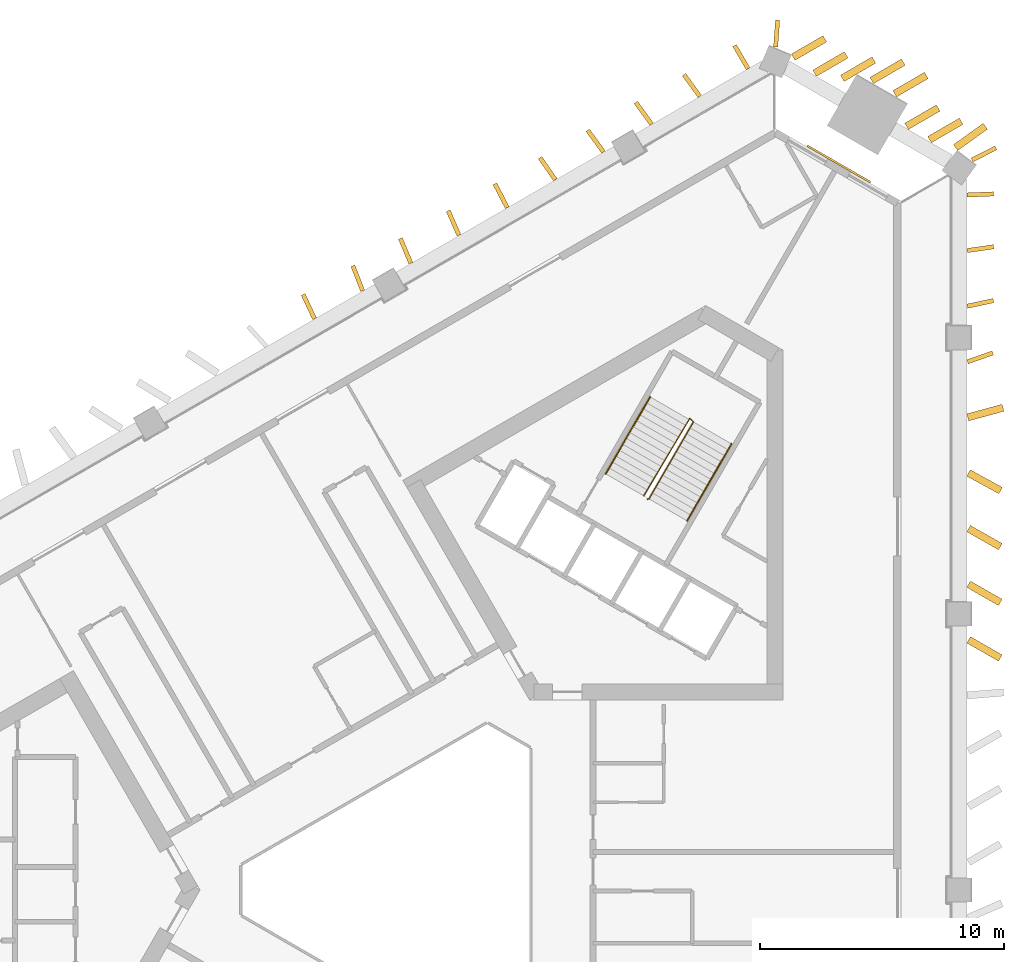
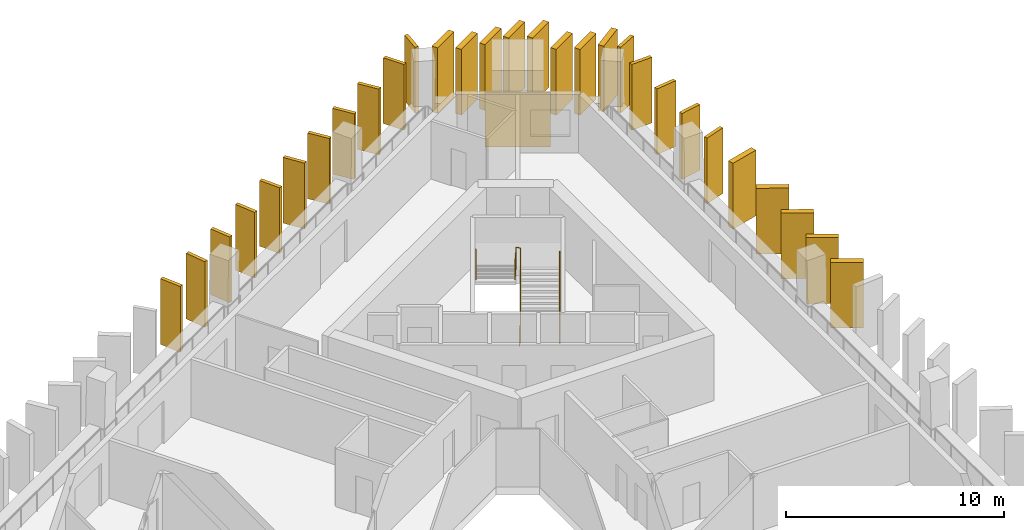
# One storey, part 10 of 10: 29 shading devices, 3 railings, 1 covering.
"""IFC4 building model written with IfcOpenShell, lengths in metres."""

from ifc_helpers import new_model, si_unit, direction, frame, frame_2d, origin, origin_2d, place, context, subcontext, project, spatial, rectangle, circle, extrude, material, layer, layer_set, type_object, element, save


model = new_model("IFC4")

# Units and contexts
model_context = context("Model", 3, precision=1e-05, world=origin(), true_north=direction((0.0, 1.0)))
body_context = subcontext(model_context, "Body", "Model", "MODEL_VIEW")
ifc_project = project(units=[si_unit("LENGTHUNIT", "METRE"), si_unit("AREAUNIT", "SQUARE_METRE"), si_unit("VOLUMEUNIT", "CUBIC_METRE"), si_unit("PLANEANGLEUNIT", "RADIAN"), si_unit("MASSUNIT", "GRAM", prefix="KILO")], contexts=[model_context])

# Site, building, storey
site_placement = place(None, origin())
site = spatial("IfcSite", under=ifc_project, at=site_placement, CompositionType="ELEMENT")
building_placement = place(site_placement, origin())
building = spatial("IfcBuilding", under=site, at=building_placement, Name="Jabali Bay Hotel Tower and Convention Centre", CompositionType="ELEMENT")
storey_placement = place(building_placement, frame((0.0, 0.0, 125.300048828125)))
storey = spatial("IfcBuildingStorey", under=building, at=storey_placement, Name="L30", CompositionType="ELEMENT", Elevation=125.300048828125)

# Shading devices
ifc_material_1 = material(Name="Precast concrete C60", Category="concrete")
ifc_layer_1 = layer(ifc_material_1, 0.179931640625)
ifc_layer_set_1 = layer_set([ifc_layer_1], Name="Precast concrete C60")
shading_device_type_1 = type_object("IfcShadingDeviceType", Name="Precast fin 3680 x 1100", PredefinedType="USERDEFINED", material=ifc_layer_set_1)
for number, where, z_axis, x_axis, name in (
    (1, (97.4482421875, 101.64453125, 0.010009765625), (0.0, 0.0, 1.0), (0.94380297499, 0.330508614713, 0.0), "Fin L30 022"),
    (2, (97.437255859375, 103.923095703125, 0.010009765625), (0.0, 0.0, 1.0), (0.977708120085, 0.209968645085, 0.0), "Fin L30 023"),
    (3, (97.431396484375, 106.201416015625, 0.010009765625), (0.0, 0.0, 1.0), (0.989699374152, 0.143161268519, 0.0), "Fin L30 024"),
):
    element("IfcShadingDevice", number, at=place(storey_placement, frame(where, z_axis=z_axis, x_axis=x_axis)), inside=storey, type_object=shading_device_type_1, Name=name, ObjectType="FIN", PredefinedType="USERDEFINED", context=body_context, shape_type="SweptSolid", body=[
        extrude(rectangle(XDim=1.099853515625, YDim=0.179931640625, at=frame_2d((0.5498046875, 0.0))), origin(), (0.0, 0.0, 1.0), 3.679931640625),
    ])
shading_device_1_placement = place(storey_placement, frame((97.422119140625, 108.479736328125, 0.010009765625), z_axis=(0.0, 0.0, 1.0), x_axis=(0.999174868023, 0.040615060162, 0.0)))
element("IfcShadingDevice", 4, at=shading_device_1_placement, inside=storey, type_object=shading_device_type_1, Name="Fin L30 025", ObjectType="FIN", PredefinedType="USERDEFINED", context=body_context, shape_type="SweptSolid", body=[
    extrude(rectangle(XDim=1.10009765625, YDim=0.179931640625, at=frame_2d((0.550048828125, 0.0))), origin(), (0.0, 0.0, 1.0), 3.679931640625),
])
shading_device_2_placement = place(storey_placement, frame((88.454833984375, 113.655029296875, 0.010009765625), z_axis=(0.0, 0.0, 1.0), x_axis=(-0.501840987237, 0.864959897064, 0.0)))
element("IfcShadingDevice", 5, at=shading_device_2_placement, inside=storey, type_object=shading_device_type_1, Name="Fin L30 034", ObjectType="FIN", PredefinedType="USERDEFINED", context=body_context, shape_type="SweptSolid", body=[
    extrude(rectangle(XDim=1.099853515625, YDim=0.179931640625, at=frame_2d((0.5498046875, 0.0))), origin(), (0.0, 0.0, 1.0), 3.679931640625),
])
for number, where, z_axis, x_axis, name in (
    (6, (86.47705078125, 112.523681640625, 0.010009765625), (0.0, 0.0, 1.0), (-0.587894549619, 0.808937573938, 0.0), "Fin L30 035"),
    (7, (84.50390625, 111.384521484375, 0.010009765625), (0.0, 0.0, 1.0), (-0.587894549619, 0.808937573938, 0.0), "Fin L30 036"),
    (8, (82.53076171875, 110.245361328125, 0.010009765625), (0.0, 0.0, 1.0), (-0.588145304304, 0.808755278824, 0.0), "Fin L30 037"),
    (9, (80.558837890625, 109.104248046875, 0.010009765625), (0.0, 0.0, 1.0), (-0.568298044294, 0.822822783382, 0.0), "Fin L30 038"),
):
    element("IfcShadingDevice", number, at=place(storey_placement, frame(where, z_axis=z_axis, x_axis=x_axis)), inside=storey, type_object=shading_device_type_1, Name=name, ObjectType="FIN", PredefinedType="USERDEFINED", context=body_context, shape_type="SweptSolid", body=[
        extrude(rectangle(XDim=1.10009765625, YDim=0.179931640625, at=frame_2d((0.550048828125, 0.0))), origin(), (0.0, 0.0, 1.0), 3.679931640625),
    ])
for number, where, z_axis, x_axis, name in (
    (10, (78.587158203125, 107.962646484375, 0.010009765625), (0.0, 0.0, 1.0), (-0.458190486506, 0.888854025178, 0.0), "Fin L30 039"),
    (11, (76.611083984375, 106.828369140625, 0.010009765625), (0.0, 0.0, 1.0), (-0.401086627647, 0.916040128555, 0.0), "Fin L30 040"),
):
    element("IfcShadingDevice", number, at=place(storey_placement, frame(where, z_axis=z_axis, x_axis=x_axis)), inside=storey, type_object=shading_device_type_1, Name=name, ObjectType="FIN", PredefinedType="USERDEFINED", context=body_context, shape_type="SweptSolid", body=[
        extrude(rectangle(XDim=1.099853515625, YDim=0.179931640625, at=frame_2d((0.5498046875, 0.0))), origin(), (0.0, 0.0, 1.0), 3.679931640625),
    ])
for number, where, z_axis, x_axis, name in (
    (12, (74.6376953125, 105.68994140625, 0.010009765625), (0.0, 0.0, 1.0), (-0.391507185119, 0.920175050738, 0.0), "Fin L30 041"),
    (13, (72.6630859375, 104.55322265625, 0.010009765625), (0.0, 0.0, 1.0), (-0.36264974698, 0.931925512589, 0.0), "Fin L30 042"),
):
    element("IfcShadingDevice", number, at=place(storey_placement, frame(where, z_axis=z_axis, x_axis=x_axis)), inside=storey, type_object=shading_device_type_1, Name=name, ObjectType="FIN", PredefinedType="USERDEFINED", context=body_context, shape_type="SweptSolid", body=[
        extrude(rectangle(XDim=1.10009765625, YDim=0.179931640625, at=frame_2d((0.550048828125, 0.0))), origin(), (0.0, 0.0, 1.0), 3.679931640625),
    ])
for number, where, z_axis, x_axis, name in (
    (14, (70.69287109375, 103.40869140625, 0.010009765625), (0.0, 0.0, 1.0), (-0.425326593292, 0.905039937814, 0.0), "Fin L30 043"),
    (15, (97.63427734375, 109.912353515625, 0.010009765625), (0.0, 0.0, 1.0), (0.89048664568, 0.455009377778, 0.0), "Fin L30 103"),
):
    element("IfcShadingDevice", number, at=place(storey_placement, frame(where, z_axis=z_axis, x_axis=x_axis)), inside=storey, type_object=shading_device_type_1, Name=name, ObjectType="FIN", PredefinedType="USERDEFINED", context=body_context, shape_type="SweptSolid", body=[
        extrude(rectangle(XDim=1.099853515625, YDim=0.179931640625, at=frame_2d((0.5498046875, 0.0))), origin(), (0.0, 0.0, 1.0), 3.679931640625),
    ])
shading_device_3_placement = place(storey_placement, frame((89.587646484375, 114.546875, 0.010009765625), z_axis=(0.0, 0.0, 1.0), x_axis=(0.073013326115, 0.997330965232, 0.0)))
element("IfcShadingDevice", 16, at=shading_device_3_placement, inside=storey, type_object=shading_device_type_1, Name="Fin L30 104", ObjectType="FIN", PredefinedType="USERDEFINED", context=body_context, shape_type="SweptSolid", body=[
    extrude(rectangle(XDim=1.10009765625, YDim=0.179931640625, at=frame_2d((0.550048828125, 0.0))), origin(), (0.0, 0.0, 1.0), 3.679931640625),
])
ifc_layer_2 = layer(ifc_material_1, 0.300048828125)
ifc_layer_set_2 = layer_set([ifc_layer_2], Name="Precast concrete C60")
shading_device_type_2 = type_object("IfcShadingDeviceType", Name="Precast fin 3680 x 1500", PredefinedType="USERDEFINED", material=ifc_layer_set_2)
shading_device_4_placement = place(storey_placement, frame((97.4931640625, 90.252685546875, 0.010009765625), z_axis=(0.0, 0.0, 1.0), x_axis=(0.867299949888, -0.497785894662, 0.0)))
element("IfcShadingDevice", 17, at=shading_device_4_placement, inside=storey, type_object=shading_device_type_2, Name="Fin L30 017", ObjectType="FIN", PredefinedType="USERDEFINED", context=body_context, shape_type="SweptSolid", body=[
    extrude(rectangle(XDim=1.499755859375, YDim=0.300048828125, at=frame_2d((0.75, 0.0))), origin(), (0.0, 0.0, 1.0), 3.679931640625),
])
for number, where, z_axis, x_axis, name in (
    (18, (97.492919921875, 92.531005859375, 0.010009765625), (0.0, 0.0, 1.0), (0.867812139006, -0.496892434431, 0.0), "Fin L30 018"),
    (19, (97.492431640625, 94.8095703125, 0.010009765625), (0.0, 0.0, 1.0), (0.869651921425, -0.493665408512, 0.0), "Fin L30 019"),
    (20, (97.490478515625, 97.087890625, 0.010009765625), (0.0, 0.0, 1.0), (0.876998290183, -0.48049349529, 0.0), "Fin L30 020"),
    (21, (97.4580078125, 99.3662109375, 0.010009765625), (0.0, 0.0, 1.0), (0.96444010368, 0.264301506645, 0.0), "Fin L30 021"),
    (22, (96.96142578125, 110.422119140625, 0.010009765625), (0.0, 0.0, 1.0), (0.812477917379, 0.582991967158, 0.0), "Fin L30 026"),
    (23, (95.893310546875, 110.748046875, 0.010009765625), (0.0, 0.0, 1.0), (0.864898360543, 0.501947034986, 0.0), "Fin L30 027"),
    (24, (94.950927734375, 111.2919921875, 0.010009765625), (0.0, 0.0, 1.0), (0.864898360543, 0.501947034986, 0.0), "Fin L30 028"),
    (25, (94.465087890625, 112.626220703125, 0.010009765625), (0.0, 0.0, 1.0), (0.864898360543, 0.501947034986, 0.0), "Fin L30 029"),
    (26, (93.522705078125, 113.17041015625, 0.010009765625), (0.0, 0.0, 1.0), (0.864898360543, 0.501947034986, 0.0), "Fin L30 030"),
    (27, (92.3173828125, 113.259033203125, 0.010009765625), (0.0, 0.0, 1.0), (0.864898360543, 0.501947034986, 0.0), "Fin L30 031"),
    (28, (91.181884765625, 113.468017578125, 0.010009765625), (0.0, 0.0, 1.0), (0.864898360543, 0.501947034986, 0.0), "Fin L30 032"),
    (29, (90.305908203125, 114.126953125, 0.010009765625), (0.0, 0.0, 1.0), (0.864898360543, 0.501947034986, 0.0), "Fin L30 033"),
):
    element("IfcShadingDevice", number, at=place(storey_placement, frame(where, z_axis=z_axis, x_axis=x_axis)), inside=storey, type_object=shading_device_type_2, Name=name, ObjectType="FIN", PredefinedType="USERDEFINED", context=body_context, shape_type="SweptSolid", body=[
        extrude(rectangle(XDim=1.5, YDim=0.300048828125, at=frame_2d((0.75, 0.0))), origin(), (0.0, 0.0, 1.0), 3.679931640625),
    ])

# Covering
ifc_material_2 = material(Name="Precast concrete C40/50", Category="concrete")
ifc_layer_3 = layer(ifc_material_2, 0.080078125)
ifc_layer_set_3 = layer_set([ifc_layer_3], Name="Precast concrete C40/50")
covering_type = type_object("IfcCoveringType", Name="Relief panel 3000 x 3050", PredefinedType="CLADDING", material=ifc_layer_set_3)
covering_placement = place(storey_placement, frame((92.1767578125, 109.751220703125, 0.10009765625), z_axis=(0.0, 0.0, 1.0), x_axis=(0.86602538271, -0.500000036503, 0.0)))
element("IfcCovering", 30, at=covering_placement, inside=storey, type_object=covering_type, Name="Relief panel L30", PredefinedType="CLADDING", context=body_context, shape_type="SweptSolid", body=[
    extrude(rectangle(XDim=3.0, YDim=0.080078125, at=origin_2d()), origin(), (0.0, 0.0, 1.0), 3.050048828125),
])

# Railings
ifc_material_3 = material(Name="Steel Q355B", Category="steel")
railing_type_1 = type_object("IfcRailingType", Name="Stair guard 1100", PredefinedType="GUARDRAIL", material=ifc_material_3)
railing_1_placement = place(storey_placement, frame((84.329833984375, 96.010009765625, 0.0)))
element("IfcRailing", 31, at=railing_1_placement, inside=storey, type_object=railing_type_1, Name="L30 ST2 stair guard 1", PredefinedType="GUARDRAIL", context=body_context, shape_type="SweptSolid", body=[
    extrude(circle(Radius=0.02392578125, at=origin_2d()), frame((0.0, 0.0, 1.076171875), z_axis=(0.456201556387, 0.122196845461, 0.881446578591), x_axis=(-0.258736085224, 0.965948051503, 0.0)), (0.0, 0.0, 1.0), 0.14990234375),
    extrude(circle(Radius=0.02392578125, at=origin_2d()), frame((0.068359375, 0.018310546875, 1.2080078125), z_axis=(0.452190331055, 0.783190014029, 0.426775475427), x_axis=(-0.866018046521, 0.500012742938, 0.0)), (0.0, 0.0, 1.0), 4.02490234375),
    extrude(circle(Radius=0.02392578125, at=origin_2d()), frame((1.888427734375, 3.170654296875, 2.92578125), z_axis=(-0.718850276695, 0.695164929852, 0.0), x_axis=(-0.695164929852, -0.718850276695, 0.0)), (0.0, 0.0, 1.0), 0.2060546875),
    extrude(circle(Radius=0.02392578125, at=origin_2d()), frame((1.740234375, 3.31396484375, 2.92578125), z_axis=(-0.457445338502, -0.768046879266, 0.448160410493), x_axis=(0.859157857954, -0.511710636118, 0.0)), (0.0, 0.0, 1.0), 4.128173828125),
    extrude(circle(Radius=0.02099609375, at=origin_2d()), origin(), (0.0, 0.0, 1.0), 1.052001953125),
    extrude(circle(Radius=0.02099609375, at=origin_2d()), frame((0.068359375, 0.018310546875, 0.132080078125)), (0.0, 0.0, 1.0), 1.052001953125),
    extrude(circle(Radius=0.02099609375, at=origin_2d()), frame((0.5234375, 0.806396484375, 0.5615234375)), (0.0, 0.0, 1.0), 1.052001953125),
    extrude(circle(Radius=0.02099609375, at=origin_2d()), frame((0.978515625, 1.594482421875, 0.990966796875)), (0.0, 0.0, 1.0), 1.052001953125),
    extrude(circle(Radius=0.02099609375, at=origin_2d()), frame((1.433349609375, 2.382568359375, 1.42041015625)), (0.0, 0.0, 1.0), 1.052001953125),
    extrude(circle(Radius=0.02099609375, at=origin_2d()), frame((1.888427734375, 3.170654296875, 1.849853515625)), (0.0, 0.0, 1.0), 1.052001953125),
    extrude(circle(Radius=0.02099609375, at=origin_2d()), frame((1.740234375, 3.31396484375, 1.849853515625)), (0.0, 0.0, 1.0), 1.052001953125),
    extrude(circle(Radius=0.02099609375, at=origin_2d()), frame((1.26806640625, 2.521240234375, 2.3125)), (0.0, 0.0, 1.0), 1.052001953125),
    extrude(circle(Radius=0.02099609375, at=origin_2d()), frame((0.7958984375, 1.728515625, 2.77490234375)), (0.0, 0.0, 1.0), 1.052001953125),
    extrude(circle(Radius=0.02099609375, at=origin_2d()), frame((0.323974609375, 0.93603515625, 3.2373046875)), (0.0, 0.0, 1.0), 1.052001953125),
    extrude(circle(Radius=0.02099609375, at=origin_2d()), frame((-0.148193359375, 0.143310546875, 3.699951171875)), (0.0, 0.0, 1.0), 1.052001953125),
])
railing_type_2 = type_object("IfcRailingType", Name="Stair handrail 900", PredefinedType="HANDRAIL", material=ifc_material_3)
railing_2_placement = place(storey_placement, frame((85.95703125, 95.128173828125, 0.132080078125)))
element("IfcRailing", 32, at=railing_2_placement, inside=storey, type_object=railing_type_2, Name="L30 ST2 stair handrail 1", PredefinedType="HANDRAIL", context=body_context, shape_type="SweptSolid", body=[
    extrude(circle(Radius=0.02392578125, at=origin_2d()), frame((0.0, 0.0, 0.8759765625), z_axis=(0.452190331055, 0.783190014029, 0.426775475427), x_axis=(-0.866018046521, 0.500012742938, 0.0)), (0.0, 0.0, 1.0), 4.02490234375),
    extrude(circle(Radius=0.02099609375, at=origin_2d()), origin(), (0.0, 0.0, 1.0), 0.851806640625),
    extrude(circle(Radius=0.02099609375, at=origin_2d()), frame((0.455078125, 0.7880859375, 0.429443359375)), (0.0, 0.0, 1.0), 0.851806640625),
    extrude(circle(Radius=0.02099609375, at=origin_2d()), frame((0.91015625, 1.576171875, 0.85888671875)), (0.0, 0.0, 1.0), 0.851806640625),
    extrude(circle(Radius=0.02099609375, at=origin_2d()), frame((1.364990234375, 2.3642578125, 1.288330078125)), (0.0, 0.0, 1.0), 0.851806640625),
    extrude(circle(Radius=0.02099609375, at=origin_2d()), frame((1.820068359375, 3.15234375, 1.7177734375)), (0.0, 0.0, 1.0), 0.851806640625),
])
railing_3_placement = place(storey_placement, frame((84.44287109375, 100.20556640625, 1.982177734375)))
element("IfcRailing", 33, at=railing_3_placement, inside=storey, type_object=railing_type_2, Name="L30 ST2 stair handrail 2", PredefinedType="HANDRAIL", context=body_context, shape_type="SweptSolid", body=[
    extrude(circle(Radius=0.02392578125, at=origin_2d()), frame((0.0, 0.0, 0.8759765625), z_axis=(-0.452190331055, -0.783190014029, 0.426775475427), x_axis=(0.866018046521, -0.500012742938, 0.0)), (0.0, 0.0, 1.0), 4.02490234375),
    extrude(circle(Radius=0.02099609375, at=origin_2d()), origin(), (0.0, 0.0, 1.0), 0.851806640625),
    extrude(circle(Radius=0.02099609375, at=origin_2d()), frame((-0.455078125, -0.7880859375, 0.429443359375)), (0.0, 0.0, 1.0), 0.851806640625),
    extrude(circle(Radius=0.02099609375, at=origin_2d()), frame((-0.91015625, -1.576171875, 0.85888671875)), (0.0, 0.0, 1.0), 0.851806640625),
    extrude(circle(Radius=0.02099609375, at=origin_2d()), frame((-1.364990234375, -2.3642578125, 1.288330078125)), (0.0, 0.0, 1.0), 0.851806640625),
    extrude(circle(Radius=0.02099609375, at=origin_2d()), frame((-1.820068359375, -3.15234375, 1.7177734375)), (0.0, 0.0, 1.0), 0.851806640625),
])

save(model, "model.ifc")
